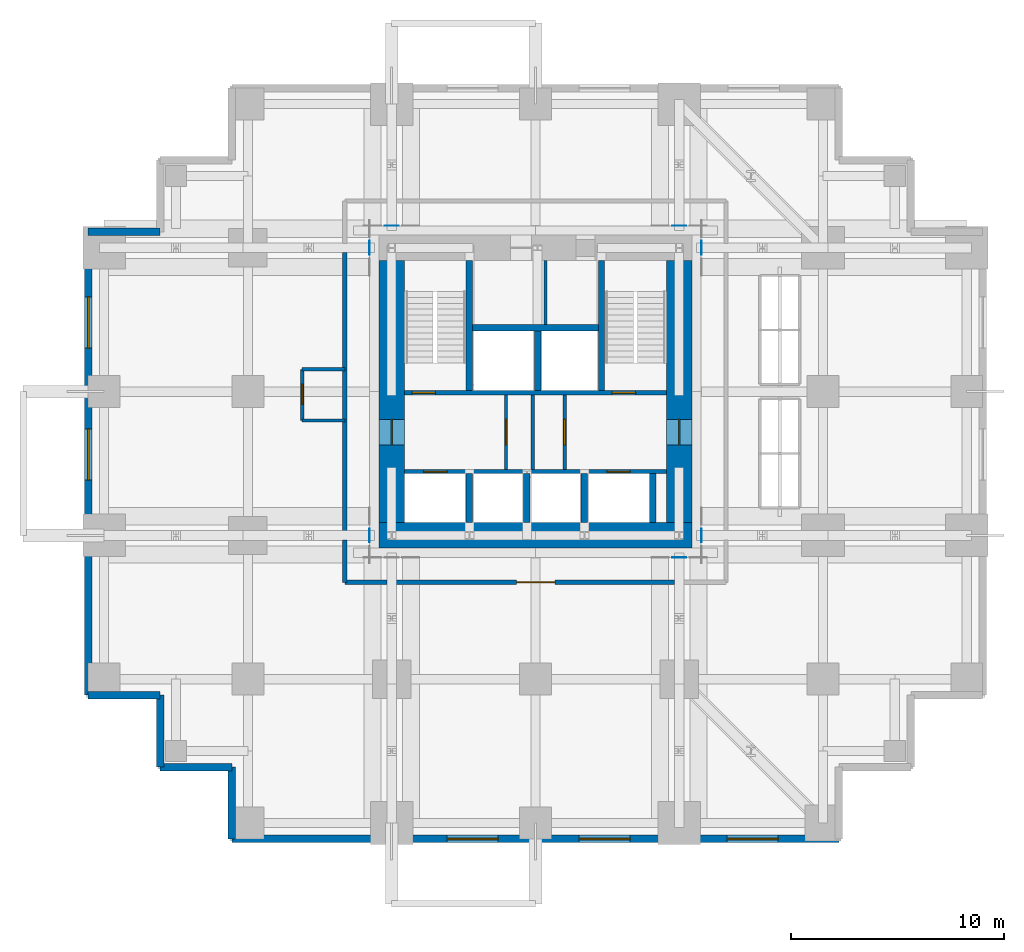
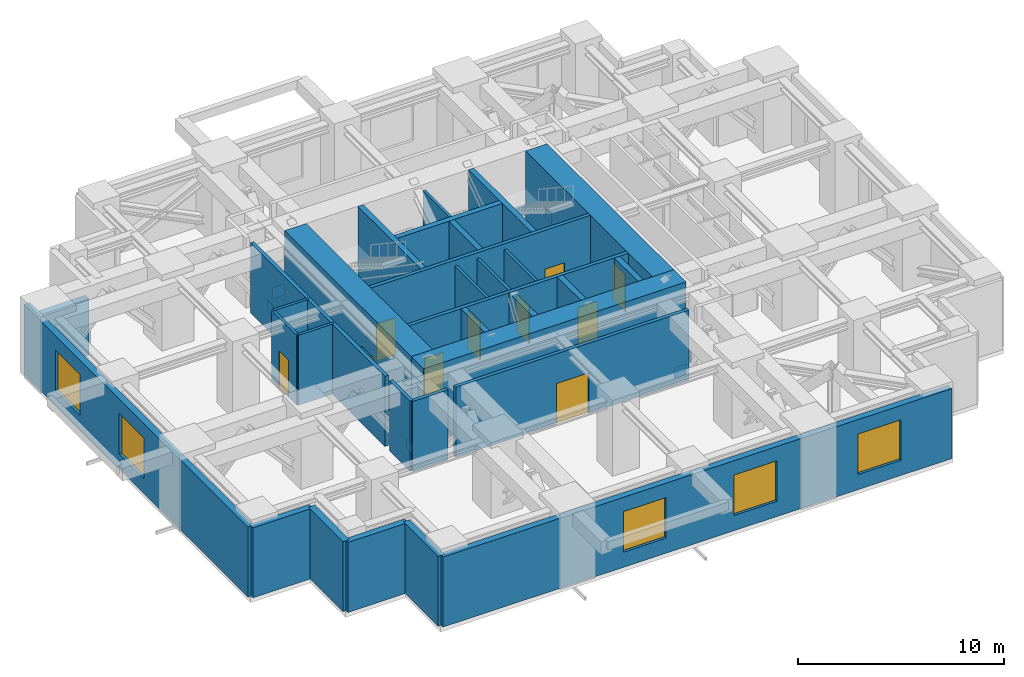
# One storey, part 4 of 6: 31 walls, 10 doors, 7 plates, 5 windows, 15 openings.
"""IFC4 building model written with IfcOpenShell, lengths in metres."""

from ifc_helpers import new_model, si_unit, direction, frame, frame_2d, origin, origin_2d, place, context, subcontext, project, spatial, rectangle, extrude, material, layer, layer_set, type_object, element, fill, save


model = new_model("IFC4")

# Units and contexts
model_context = context("Model", 3, precision=1e-05, world=origin(), true_north=direction((0.0, 1.0)))
body_context = subcontext(model_context, "Body", "Model", "MODEL_VIEW")
ifc_project = project(units=[si_unit("LENGTHUNIT", "METRE"), si_unit("AREAUNIT", "SQUARE_METRE"), si_unit("VOLUMEUNIT", "CUBIC_METRE"), si_unit("PLANEANGLEUNIT", "RADIAN"), si_unit("MASSUNIT", "GRAM", prefix="KILO")], contexts=[model_context])

# Site, building, storey
site_placement = place(None, origin())
site = spatial("IfcSite", under=ifc_project, at=site_placement, CompositionType="ELEMENT")
building_placement = place(site_placement, origin())
building = spatial("IfcBuilding", under=site, at=building_placement, Name="Nyansa Garden Tower", CompositionType="ELEMENT")
storey_placement = place(building_placement, frame((0.0, 0.0, 137.699951171875)))
storey = spatial("IfcBuildingStorey", under=building, at=storey_placement, Name="L37", CompositionType="ELEMENT", Elevation=137.699951171875)

# Plates
ifc_material_1 = material(Name="Steel S355", Category="steel")
ifc_layer_1 = layer(ifc_material_1, 0.01611328125)
ifc_layer_set_1 = layer_set([ifc_layer_1], Name="Outrigger chord end plate ECP1")
plate_type = type_object("IfcPlateType", Name="Outrigger chord end plate ECP1", PredefinedType="USERDEFINED", material=ifc_layer_set_1)
for number, where, z_axis, x_axis, name in (
    (1, (27.0, 12.4580078125, -0.625), (0.0, 0.0, 1.0), (1.0, 0.0, 0.0), "Outrigger diagonal L37 2.2b gusset end plate"),
    (2, (13.5, 28.0419921875, -0.625), (0.0, 0.0, 1.0), (1.0, 0.0, 0.0), "Outrigger diagonal L37 3.1a gusset end plate"),
    (3, (27.0, 28.0419921875, -0.625), (0.0, 0.0, 1.0), (1.0, 0.0, 0.0), "Outrigger diagonal L37 4.1a gusset end plate"),
):
    element("IfcPlate", number, at=place(storey_placement, frame(where, z_axis=z_axis, x_axis=x_axis)), inside=storey, type_object=plate_type, Name=name, ObjectType="END PLATE", PredefinedType="USERDEFINED", context=body_context, shape_type="SweptSolid", body=[
        extrude(rectangle(XDim=0.64990234375, YDim=0.01611328125, at=origin_2d()), origin(), (0.0, 0.0, 1.0), 0.64990234375),
    ])
for number, where, z_axis, x_axis, name in (
    (4, (12.4580078125, 13.5, -0.625), (0.0, 0.0, 1.0), (1.0, 0.0, 0.0), "Outrigger diagonal L37 5.2b gusset end plate"),
    (5, (12.4580078125, 27.0, -0.625), (0.0, 0.0, 1.0), (1.0, 0.0, 0.0), "Outrigger diagonal L37 6.2b gusset end plate"),
    (6, (28.0419921875, 13.5, -0.625), (0.0, 0.0, 1.0), (1.0, 0.0, 0.0), "Outrigger diagonal L37 7.1a gusset end plate"),
    (7, (28.0419921875, 27.0, -0.625), (0.0, 0.0, 1.0), (1.0, 0.0, 0.0), "Outrigger diagonal L37 8.1a gusset end plate"),
):
    element("IfcPlate", number, at=place(storey_placement, frame(where, z_axis=z_axis, x_axis=x_axis)), inside=storey, type_object=plate_type, Name=name, ObjectType="END PLATE", PredefinedType="USERDEFINED", context=body_context, shape_type="SweptSolid", body=[
        extrude(rectangle(XDim=0.01611328125, YDim=0.64990234375, at=origin_2d()), origin(), (0.0, 0.0, 1.0), 0.64990234375),
    ])

# Wall, openings, doors
ifc_material_2 = material(Name="Concrete C70/85", Category="concrete")
ifc_layer_2 = layer(ifc_material_2, 0.199951171875)
ifc_layer_set_2 = layer_set([ifc_layer_2], Name="Core inner wall CI200")
wall_type_1 = type_object("IfcWallType", Name="Core inner wall CI200", PredefinedType="SHEAR", material=ifc_layer_set_2)
wall_1_placement = place(storey_placement, frame((14.10009765625, 16.5, 0.0), z_axis=(0.0, 0.0, 1.0), x_axis=(1.0, 0.0, 0.0)))
wall_1 = element("IfcWall", 8, at=wall_1_placement, inside=storey, type_object=wall_type_1, Name="Core inner wall L37", PredefinedType="SHEAR", context=body_context, shape_type="SweptSolid", body=[
    extrude(rectangle(XDim=12.2998046875, YDim=0.199951171875, at=frame_2d((6.14990234375, 0.0))), origin(), (0.0, 0.0, 1.0), 4.5),
])
opening_1_placement = place(wall_1_placement, frame((0.89990234375, 0.0, 0.0)))
opening_1 = element("IfcOpeningElement", 9, at=opening_1_placement, cuts=wall_1, Name="Opening LD-F", PredefinedType="OPENING", context=body_context, shape_type="SweptSolid", body=[
    extrude(rectangle(XDim=1.10009765625, YDim=2.199951171875, at=frame_2d((0.550048828125, 1.10009765625))), frame((0.0, 0.10986328125, 0.0), z_axis=(0.0, -1.0, 0.0), x_axis=(1.0, 0.0, 0.0)), (0.0, 0.0, 1.0), 0.219970703125),
])
opening_2_placement = place(wall_1_placement, frame((9.5, 0.0, 0.0)))
opening_2 = element("IfcOpeningElement", 10, at=opening_2_placement, cuts=wall_1, Name="Opening LD-F", PredefinedType="OPENING", context=body_context, shape_type="SweptSolid", body=[
    extrude(rectangle(XDim=1.10009765625, YDim=2.199951171875, at=frame_2d((0.550048828125, 1.10009765625))), frame((0.0, 0.10986328125, 0.0), z_axis=(0.0, -1.0, 0.0), x_axis=(1.0, 0.0, 0.0)), (0.0, 0.0, 1.0), 0.219970703125),
])
ifc_material_3 = material(Name="Stainless steel centre-opening landing door of the firefighting lift, EN 81-72, E 120", Category="steel")
door_type_1 = type_object("IfcDoorType", Name="Lift landing door LD-F 1100x2200", OperationType="DOUBLE_DOOR_SLIDING", PredefinedType="DOOR", material=ifc_material_3)
door_1_placement = place(opening_1_placement, origin())
door_1 = element("IfcDoor", 11, at=door_1_placement, inside=storey, type_object=door_type_1, Name="Landing door FF1", OperationType="DOUBLE_DOOR_SLIDING", OverallHeight=2.199951171875, OverallWidth=1.10009765625, PredefinedType="DOOR", context=body_context, shape_type="SweptSolid", body=[
    extrude(rectangle(XDim=1.10009765625, YDim=2.199951171875, at=frame_2d((0.550048828125, 1.10009765625))), frame((0.0, 0.02490234375, 0.0), z_axis=(0.0, -1.0, 0.0), x_axis=(1.0, 0.0, 0.0)), (0.0, 0.0, 1.0), 0.050048828125),
])
fill(opening_1, door_1)
door_2_placement = place(opening_2_placement, origin())
door_2 = element("IfcDoor", 12, at=door_2_placement, inside=storey, type_object=door_type_1, Name="Landing door FF2", OperationType="DOUBLE_DOOR_SLIDING", OverallHeight=2.199951171875, OverallWidth=1.10009765625, PredefinedType="DOOR", context=body_context, shape_type="SweptSolid", body=[
    extrude(rectangle(XDim=1.10009765625, YDim=2.199951171875, at=frame_2d((0.550048828125, 1.10009765625))), frame((0.0, 0.02490234375, 0.0), z_axis=(0.0, -1.0, 0.0), x_axis=(1.0, 0.0, 0.0)), (0.0, 0.0, 1.0), 0.050048828125),
])
fill(opening_2, door_2)

wall_2_placement = place(storey_placement, frame((14.10009765625, 20.199951171875, 0.0), z_axis=(0.0, 0.0, 1.0), x_axis=(1.0, 0.0, 0.0)))
wall_2 = element("IfcWall", 13, at=wall_2_placement, inside=storey, type_object=wall_type_1, Name="Core inner wall L37", PredefinedType="SHEAR", context=body_context, shape_type="SweptSolid", body=[
    extrude(rectangle(XDim=12.2998046875, YDim=0.199951171875, at=frame_2d((6.14990234375, 0.0))), origin(), (0.0, 0.0, 1.0), 4.5),
])
opening_3_placement = place(wall_2_placement, frame((0.35009765625, 0.0, 0.0)))
opening_3 = element("IfcOpeningElement", 14, at=opening_3_placement, cuts=wall_2, Name="Opening D05", PredefinedType="OPENING", context=body_context, shape_type="SweptSolid", body=[
    extrude(rectangle(XDim=1.10009765625, YDim=2.199951171875, at=frame_2d((0.550048828125, 1.10009765625))), frame((0.0, 0.10986328125, 0.0), z_axis=(0.0, -1.0, 0.0), x_axis=(1.0, 0.0, 0.0)), (0.0, 0.0, 1.0), 0.219970703125),
])
opening_4_placement = place(wall_2_placement, frame((9.75, 0.0, 0.0)))
opening_4 = element("IfcOpeningElement", 15, at=opening_4_placement, cuts=wall_2, Name="Opening D05", PredefinedType="OPENING", context=body_context, shape_type="SweptSolid", body=[
    extrude(rectangle(XDim=1.10009765625, YDim=2.199951171875, at=frame_2d((0.550048828125, 1.10009765625))), frame((0.0, 0.10986328125, 0.0), z_axis=(0.0, -1.0, 0.0), x_axis=(1.0, 0.0, 0.0)), (0.0, 0.0, 1.0), 0.219970703125),
])
ifc_material_4 = material(Name="Steel door, 120 minute fire resisting", Category="steel")
door_type_2 = type_object("IfcDoorType", Name="Stair door D05 1100x2200", OperationType="SINGLE_SWING_LEFT", PredefinedType="DOOR", material=ifc_material_4)
door_3_placement = place(opening_3_placement, origin())
door_3 = element("IfcDoor", 16, at=door_3_placement, inside=storey, type_object=door_type_2, Name="Stair S1 door", OperationType="SINGLE_SWING_LEFT", OverallHeight=2.199951171875, OverallWidth=1.10009765625, PredefinedType="DOOR", context=body_context, shape_type="SweptSolid", body=[
    extrude(rectangle(XDim=1.10009765625, YDim=2.199951171875, at=frame_2d((0.550048828125, 1.10009765625))), frame((0.0, 0.02490234375, 0.0), z_axis=(0.0, -1.0, 0.0), x_axis=(1.0, 0.0, 0.0)), (0.0, 0.0, 1.0), 0.050048828125),
])
fill(opening_3, door_3)
door_4_placement = place(opening_4_placement, origin())
door_4 = element("IfcDoor", 17, at=door_4_placement, inside=storey, type_object=door_type_2, Name="Stair S2 door", OperationType="SINGLE_SWING_LEFT", OverallHeight=2.199951171875, OverallWidth=1.10009765625, PredefinedType="DOOR", context=body_context, shape_type="SweptSolid", body=[
    extrude(rectangle(XDim=1.10009765625, YDim=2.199951171875, at=frame_2d((0.550048828125, 1.10009765625))), frame((0.0, 0.02490234375, 0.0), z_axis=(0.0, -1.0, 0.0), x_axis=(1.0, 0.0, 0.0)), (0.0, 0.0, 1.0), 0.050048828125),
])
fill(opening_4, door_4)

# Walls
ifc_material_5 = material(Name="Concrete C70/85", Category="concrete")
ifc_layer_3 = layer(ifc_material_5, 0.300048828125)
ifc_layer_set_3 = layer_set([ifc_layer_3], Name="Core inner wall CI300")
wall_type_2 = type_object("IfcWallType", Name="Core inner wall CI300", PredefinedType="SHEAR", material=ifc_layer_set_3)
for number, where, z_axis, x_axis, name in (
    (18, (17.14990234375, 20.300048828125, 0.0), (0.0, 0.0, 1.0), (0.0, 1.0, 0.0), "Core inner wall L37"),
    (19, (23.35009765625, 20.300048828125, 0.0), (0.0, 0.0, 1.0), (0.0, 1.0, 0.0), "Core inner wall L37"),
):
    element("IfcWall", number, at=place(storey_placement, frame(where, z_axis=z_axis, x_axis=x_axis)), inside=storey, type_object=wall_type_2, Name=name, PredefinedType="SHEAR", context=body_context, shape_type="SweptSolid", body=[
        extrude(rectangle(XDim=6.099853515625, YDim=0.300048828125, at=frame_2d((3.0498046875, 0.0))), origin(), (0.0, 0.0, 1.0), 4.5),
    ])
wall_3_placement = place(storey_placement, frame((20.35009765625, 20.300048828125, 0.0), z_axis=(0.0, 0.0, 1.0), x_axis=(0.0, 1.0, 0.0)))
element("IfcWall", 20, at=wall_3_placement, inside=storey, type_object=wall_type_2, Name="Core inner wall L37", PredefinedType="SHEAR", context=body_context, shape_type="SweptSolid", body=[
    extrude(rectangle(XDim=2.800048828125, YDim=0.300048828125, at=frame_2d((1.39990234375, 0.0))), origin(), (0.0, 0.0, 1.0), 4.5),
])
wall_4_placement = place(storey_placement, frame((17.300048828125, 23.25, 0.0), z_axis=(0.0, 0.0, 1.0), x_axis=(1.0, 0.0, 0.0)))
element("IfcWall", 21, at=wall_4_placement, inside=storey, type_object=wall_type_2, Name="Core inner wall L37", PredefinedType="SHEAR", context=body_context, shape_type="SweptSolid", body=[
    extrude(rectangle(XDim=5.89990234375, YDim=0.300048828125, at=frame_2d((2.949951171875, 0.0))), origin(), (0.0, 0.0, 1.0), 4.5),
])
for number, where, z_axis, x_axis, name in (
    (22, (17.14990234375, 14.10009765625, 0.0), (0.0, 0.0, 1.0), (0.0, 1.0, 0.0), "Core inner wall L37"),
    (23, (19.85009765625, 14.10009765625, 0.0), (0.0, 0.0, 1.0), (0.0, 1.0, 0.0), "Core inner wall L37"),
    (24, (22.550048828125, 14.10009765625, 0.0), (0.0, 0.0, 1.0), (0.0, 1.0, 0.0), "Core inner wall L37"),
    (25, (25.75, 14.10009765625, 0.0), (0.0, 0.0, 1.0), (0.0, 1.0, 0.0), "Core inner wall L37"),
):
    element("IfcWall", number, at=place(storey_placement, frame(where, z_axis=z_axis, x_axis=x_axis)), inside=storey, type_object=wall_type_2, Name=name, PredefinedType="SHEAR", context=body_context, shape_type="SweptSolid", body=[
        extrude(rectangle(XDim=2.2998046875, YDim=0.300048828125, at=frame_2d((1.14990234375, 0.0))), origin(), (0.0, 0.0, 1.0), 4.5),
    ])
ifc_material_6 = material(Name="Concrete C80/95", Category="concrete")
ifc_layer_4 = layer(ifc_material_6, 1.199951171875)
ifc_layer_set_4 = layer_set([ifc_layer_4], Name="Core wall CW1200")
wall_type_3 = type_object("IfcWallType", Name="Core wall CW1200", PredefinedType="SHEAR", material=ifc_layer_set_4)
wall_5_placement = place(storey_placement, frame((12.89990234375, 13.5, 0.0), z_axis=(0.0, 0.0, 1.0), x_axis=(1.0, 0.0, 0.0)))
element("IfcWall", 26, at=wall_5_placement, inside=storey, type_object=wall_type_3, Name="Core wall S L37", PredefinedType="SHEAR", context=body_context, shape_type="SweptSolid", body=[
    extrude(rectangle(XDim=14.7001953125, YDim=1.199951171875, at=frame_2d((7.35009765625, 0.0))), origin(), (0.0, 0.0, 1.0), 4.5),
])

# Wall, opening, door
wall_6_placement = place(storey_placement, frame((27.0, 14.10009765625, 0.0), z_axis=(0.0, 0.0, 1.0), x_axis=(0.0, 1.0, 0.0)))
wall_6 = element("IfcWall", 27, at=wall_6_placement, inside=storey, type_object=wall_type_3, Name="Core wall E L37", PredefinedType="SHEAR", context=body_context, shape_type="SweptSolid", body=[
    extrude(rectangle(XDim=12.2998046875, YDim=1.199951171875, at=frame_2d((6.14990234375, 0.0))), origin(), (0.0, 0.0, 1.0), 4.5),
])
opening_5_placement = place(wall_6_placement, frame((3.64990234375, 0.0, 0.0)))
opening_5 = element("IfcOpeningElement", 28, at=opening_5_placement, cuts=wall_6, Name="Opening D06", PredefinedType="OPENING", context=body_context, shape_type="SweptSolid", body=[
    extrude(rectangle(XDim=1.199951171875, YDim=2.199951171875, at=frame_2d((0.60009765625, 1.10009765625))), frame((0.0, 0.60986328125, 0.0), z_axis=(0.0, -1.0, 0.0), x_axis=(1.0, 0.0, 0.0)), (0.0, 0.0, 1.0), 1.219970703125),
])
ifc_material_7 = material(Name="Steel door, 120 minute fire resisting", Category="steel")
door_type_3 = type_object("IfcDoorType", Name="Lobby door D06 1200x2200", OperationType="DOUBLE_DOOR_SINGLE_SWING", PredefinedType="DOOR", material=ifc_material_7)
door_5_placement = place(opening_5_placement, origin())
door_5 = element("IfcDoor", 29, at=door_5_placement, inside=storey, type_object=door_type_3, Name="Lift lobby door east", OperationType="DOUBLE_DOOR_SINGLE_SWING", OverallHeight=2.199951171875, OverallWidth=1.199951171875, PredefinedType="DOOR", context=body_context, shape_type="SweptSolid", body=[
    extrude(rectangle(XDim=1.199951171875, YDim=2.199951171875, at=frame_2d((0.60009765625, 1.10009765625))), frame((0.0, 0.02490234375, 0.0), z_axis=(0.0, -1.0, 0.0), x_axis=(1.0, 0.0, 0.0)), (0.0, 0.0, 1.0), 0.050048828125),
])
fill(opening_5, door_5)

wall_7_placement = place(storey_placement, frame((13.5, 26.39990234375, 0.0), z_axis=(0.0, 0.0, 1.0), x_axis=(0.0, -1.0, 0.0)))
wall_7 = element("IfcWall", 30, at=wall_7_placement, inside=storey, type_object=wall_type_3, Name="Core wall W L37", PredefinedType="SHEAR", context=body_context, shape_type="SweptSolid", body=[
    extrude(rectangle(XDim=12.2998046875, YDim=1.199951171875, at=frame_2d((6.14990234375, 0.0))), origin(), (0.0, 0.0, 1.0), 4.5),
])
opening_6_placement = place(wall_7_placement, frame((7.449951171875, 0.0, 0.0)))
opening_6 = element("IfcOpeningElement", 31, at=opening_6_placement, cuts=wall_7, Name="Opening D06", PredefinedType="OPENING", context=body_context, shape_type="SweptSolid", body=[
    extrude(rectangle(XDim=1.199951171875, YDim=2.199951171875, at=frame_2d((0.60009765625, 1.10009765625))), frame((0.0, 0.60986328125, 0.0), z_axis=(0.0, -1.0, 0.0), x_axis=(1.0, 0.0, 0.0)), (0.0, 0.0, 1.0), 1.219970703125),
])
door_6_placement = place(opening_6_placement, origin())
door_6 = element("IfcDoor", 32, at=door_6_placement, inside=storey, type_object=door_type_3, Name="Lift lobby door west", OperationType="DOUBLE_DOOR_SINGLE_SWING", OverallHeight=2.199951171875, OverallWidth=1.199951171875, PredefinedType="DOOR", context=body_context, shape_type="SweptSolid", body=[
    extrude(rectangle(XDim=1.199951171875, YDim=2.199951171875, at=frame_2d((0.60009765625, 1.10009765625))), frame((0.0, 0.02490234375, 0.0), z_axis=(0.0, -1.0, 0.0), x_axis=(1.0, 0.0, 0.0)), (0.0, 0.0, 1.0), 0.050048828125),
])
fill(opening_6, door_6)

# Walls
ifc_material_8 = material(Name="Concrete blockwork, plastered, 60 minute fire resisting", Category="masonry")
ifc_layer_5 = layer(ifc_material_8, 0.199951171875)
ifc_layer_set_5 = layer_set([ifc_layer_5], Name="Corridor wall FW200")
wall_type_4 = type_object("IfcWallType", Name="Corridor wall FW200", PredefinedType="PARTITIONING", material=ifc_layer_set_5)
for number, where, z_axis, x_axis, name in (
    (33, (11.300048828125, 11.300048828125, 0.0), (0.0, 0.0, 1.0), (0.0, 1.0, 0.0), "Corridor wall"),
    (34, (11.300048828125, 11.300048828125, 0.0), (0.0, 0.0, 1.0), (1.0, 0.0, 0.0), "Corridor wall"),
):
    element("IfcWall", number, at=place(storey_placement, frame(where, z_axis=z_axis, x_axis=x_axis)), inside=storey, type_object=wall_type_4, Name=name, PredefinedType="PARTITIONING", context=body_context, shape_type="SweptSolid", body=[
        extrude(rectangle(XDim=1.98486328125, YDim=0.199951171875, at=frame_2d((0.992431640625, 0.0))), origin(), (0.0, 0.0, 1.0), 4.150146484375),
    ])
wall_8_placement = place(storey_placement, frame((11.300048828125, 13.715087890625, 0.0), z_axis=(0.0, 0.0, 1.0), x_axis=(0.0, 1.0, 0.0)))
element("IfcWall", 35, at=wall_8_placement, inside=storey, type_object=wall_type_4, Name="Corridor wall", PredefinedType="PARTITIONING", context=body_context, shape_type="SweptSolid", body=[
    extrude(rectangle(XDim=13.06982421875, YDim=0.199951171875, at=frame_2d((6.534912109375, 0.0))), origin(), (0.0, 0.0, 1.0), 4.150146484375),
])

# Wall, opening, door
wall_9_placement = place(storey_placement, frame((13.715087890625, 11.300048828125, 0.0), z_axis=(0.0, 0.0, 1.0), x_axis=(1.0, 0.0, 0.0)))
wall_9 = element("IfcWall", 36, at=wall_9_placement, inside=storey, type_object=wall_type_4, Name="Corridor wall", PredefinedType="PARTITIONING", context=body_context, shape_type="SweptSolid", body=[
    extrude(rectangle(XDim=13.06982421875, YDim=0.199951171875, at=frame_2d((6.534912109375, 0.0))), origin(), (0.0, 0.0, 1.0), 4.150146484375),
])
opening_7_placement = place(wall_9_placement, frame((5.64990234375, 0.0, 0.0)))
opening_7 = element("IfcOpeningElement", 37, at=opening_7_placement, cuts=wall_9, Name="Opening D09", PredefinedType="OPENING", context=body_context, shape_type="SweptSolid", body=[
    extrude(rectangle(XDim=1.800048828125, YDim=2.39990234375, at=frame_2d((0.89990234375, 1.199951171875))), frame((0.0, 0.10986328125, 0.0), z_axis=(0.0, -1.0, 0.0), x_axis=(1.0, 0.0, 0.0)), (0.0, 0.0, 1.0), 0.219970703125),
])
ifc_material_9 = material(Name="Steel door, 120 minute fire resisting", Category="steel")
door_type_4 = type_object("IfcDoorType", Name="Plant room door D09 1800x2400", OperationType="DOUBLE_DOOR_SINGLE_SWING", PredefinedType="DOOR", material=ifc_material_9)
door_7_placement = place(opening_7_placement, origin())
door_7 = element("IfcDoor", 38, at=door_7_placement, inside=storey, type_object=door_type_4, Name="Door L37-018", OperationType="DOUBLE_DOOR_SINGLE_SWING", OverallHeight=2.39990234375, OverallWidth=1.800048828125, PredefinedType="DOOR", context=body_context, shape_type="SweptSolid", body=[
    extrude(rectangle(XDim=1.800048828125, YDim=2.39990234375, at=frame_2d((0.89990234375, 1.199951171875))), frame((0.0, 0.02490234375, 0.0), z_axis=(0.0, -1.0, 0.0), x_axis=(1.0, 0.0, 0.0)), (0.0, 0.0, 1.0), 0.050048828125),
])
fill(opening_7, door_7)

ifc_material_10 = material(Name="Blockwork, plastered both sides", Category="masonry")
ifc_layer_6 = layer(ifc_material_10, 0.14990234375)
ifc_layer_set_6 = layer_set([ifc_layer_6], Name="Partition PW150")
wall_type_5 = type_object("IfcWallType", Name="Partition PW150", PredefinedType="PARTITIONING", material=ifc_layer_set_6)
wall_10_placement = place(storey_placement, frame((18.875, 16.60009765625, 0.0), z_axis=(0.0, 0.0, 1.0), x_axis=(0.0, 1.0, 0.0)))
wall_10 = element("IfcWall", 39, at=wall_10_placement, inside=storey, type_object=wall_type_5, Name="Partition", PredefinedType="PARTITIONING", context=body_context, shape_type="SweptSolid", body=[
    extrude(rectangle(XDim=3.5, YDim=0.14990234375, at=frame_2d((1.75, 0.0))), origin(), (0.0, 0.0, 1.0), 4.150146484375),
])
opening_8_placement = place(wall_10_placement, frame((1.14990234375, 0.0, 0.0)))
opening_8 = element("IfcOpeningElement", 40, at=opening_8_placement, cuts=wall_10, Name="Opening D06", PredefinedType="OPENING", context=body_context, shape_type="SweptSolid", body=[
    extrude(rectangle(XDim=1.199951171875, YDim=2.199951171875, at=frame_2d((0.60009765625, 1.10009765625))), frame((0.0, 0.0849609375, 0.0), z_axis=(0.0, -1.0, 0.0), x_axis=(1.0, 0.0, 0.0)), (0.0, 0.0, 1.0), 0.169921875),
])
door_8_placement = place(opening_8_placement, origin())
door_8 = element("IfcDoor", 41, at=door_8_placement, inside=storey, type_object=door_type_3, Name="Passenger lift lobby door", OperationType="DOUBLE_DOOR_SINGLE_SWING", OverallHeight=2.199951171875, OverallWidth=1.199951171875, PredefinedType="DOOR", context=body_context, shape_type="SweptSolid", body=[
    extrude(rectangle(XDim=1.199951171875, YDim=2.199951171875, at=frame_2d((0.60009765625, 1.10009765625))), frame((0.0, 0.02490234375, 0.0), z_axis=(0.0, -1.0, 0.0), x_axis=(1.0, 0.0, 0.0)), (0.0, 0.0, 1.0), 0.050048828125),
])
fill(opening_8, door_8)

wall_11_placement = place(storey_placement, frame((21.625, 16.60009765625, 0.0), z_axis=(0.0, 0.0, 1.0), x_axis=(0.0, 1.0, 0.0)))
wall_11 = element("IfcWall", 42, at=wall_11_placement, inside=storey, type_object=wall_type_5, Name="Partition", PredefinedType="PARTITIONING", context=body_context, shape_type="SweptSolid", body=[
    extrude(rectangle(XDim=3.5, YDim=0.14990234375, at=frame_2d((1.75, 0.0))), origin(), (0.0, 0.0, 1.0), 4.150146484375),
])
opening_9_placement = place(wall_11_placement, frame((1.14990234375, 0.0, 0.0)))
opening_9 = element("IfcOpeningElement", 43, at=opening_9_placement, cuts=wall_11, Name="Opening D06", PredefinedType="OPENING", context=body_context, shape_type="SweptSolid", body=[
    extrude(rectangle(XDim=1.199951171875, YDim=2.199951171875, at=frame_2d((0.60009765625, 1.10009765625))), frame((0.0, 0.0849609375, 0.0), z_axis=(0.0, -1.0, 0.0), x_axis=(1.0, 0.0, 0.0)), (0.0, 0.0, 1.0), 0.169921875),
])
door_9_placement = place(opening_9_placement, origin())
door_9 = element("IfcDoor", 44, at=door_9_placement, inside=storey, type_object=door_type_3, Name="Passenger lift lobby door", OperationType="DOUBLE_DOOR_SINGLE_SWING", OverallHeight=2.199951171875, OverallWidth=1.199951171875, PredefinedType="DOOR", context=body_context, shape_type="SweptSolid", body=[
    extrude(rectangle(XDim=1.199951171875, YDim=2.199951171875, at=frame_2d((0.60009765625, 1.10009765625))), frame((0.0, 0.02490234375, 0.0), z_axis=(0.0, -1.0, 0.0), x_axis=(1.0, 0.0, 0.0)), (0.0, 0.0, 1.0), 0.050048828125),
])
fill(opening_9, door_9)

# Walls
wall_12_placement = place(storey_placement, frame((20.1201171875, 16.60009765625, 0.0), z_axis=(0.0, 0.0, 1.0), x_axis=(0.0, 1.0, 0.0)))
element("IfcWall", 45, at=wall_12_placement, inside=storey, type_object=wall_type_5, Name="Partition", PredefinedType="PARTITIONING", context=body_context, shape_type="SweptSolid", body=[
    extrude(rectangle(XDim=3.5, YDim=0.14990234375, at=frame_2d((1.75, 0.0))), origin(), (0.0, 0.0, 1.0), 4.150146484375),
])
wall_13_placement = place(storey_placement, frame((20.72509765625, 23.39990234375, 0.0), z_axis=(0.0, 0.0, 1.0), x_axis=(0.0, 1.0, 0.0)))
element("IfcWall", 46, at=wall_13_placement, inside=storey, type_object=wall_type_5, Name="Partition", PredefinedType="PARTITIONING", context=body_context, shape_type="SweptSolid", body=[
    extrude(rectangle(XDim=3.0, YDim=0.14990234375, at=frame_2d((1.5, 0.0))), origin(), (0.0, 0.0, 1.0), 4.150146484375),
])

# Wall, opening, door
wall_14_placement = place(storey_placement, frame((9.300048828125, 18.89990234375, 0.0), z_axis=(0.0, 0.0, 1.0), x_axis=(0.0, 1.0, 0.0)))
wall_14 = element("IfcWall", 47, at=wall_14_placement, inside=storey, type_object=wall_type_5, Name="Partition", PredefinedType="PARTITIONING", context=body_context, shape_type="SweptSolid", body=[
    extrude(rectangle(XDim=2.400146484375, YDim=0.14990234375, at=frame_2d((1.2001953125, 0.0))), origin(), (0.0, 0.0, 1.0), 4.150146484375),
])
opening_10_placement = place(wall_14_placement, frame((0.75, 0.0, 0.0)))
opening_10 = element("IfcOpeningElement", 48, at=opening_10_placement, cuts=wall_14, Name="Opening D01", PredefinedType="OPENING", context=body_context, shape_type="SweptSolid", body=[
    extrude(rectangle(XDim=0.949951171875, YDim=2.199951171875, at=frame_2d((0.47509765625, 1.10009765625))), frame((0.0, 0.0849609375, 0.0), z_axis=(0.0, -1.0, 0.0), x_axis=(1.0, 0.0, 0.0)), (0.0, 0.0, 1.0), 0.169921875),
])
ifc_material_11 = material(Name="Timber flush door, 30 minute fire resisting", Category="wood")
door_type_5 = type_object("IfcDoorType", Name="Bedroom door D01 950x2200", OperationType="SINGLE_SWING_LEFT", PredefinedType="DOOR", material=ifc_material_11)
door_10_placement = place(opening_10_placement, origin())
door_10 = element("IfcDoor", 49, at=door_10_placement, inside=storey, type_object=door_type_5, Name="Door L37-017", OperationType="SINGLE_SWING_LEFT", OverallHeight=2.199951171875, OverallWidth=0.949951171875, PredefinedType="DOOR", context=body_context, shape_type="SweptSolid", body=[
    extrude(rectangle(XDim=0.949951171875, YDim=2.199951171875, at=frame_2d((0.47509765625, 1.10009765625))), frame((0.0, 0.02490234375, 0.0), z_axis=(0.0, -1.0, 0.0), x_axis=(1.0, 0.0, 0.0)), (0.0, 0.0, 1.0), 0.050048828125),
])
fill(opening_10, door_10)

# Walls
for number, where, z_axis, x_axis, name in (
    (50, (9.300048828125, 18.89990234375, 0.0), (0.0, 0.0, 1.0), (1.0, 0.0, 0.0), "Partition"),
    (51, (9.300048828125, 21.300048828125, 0.0), (0.0, 0.0, 1.0), (1.0, 0.0, 0.0), "Partition"),
):
    element("IfcWall", number, at=place(storey_placement, frame(where, z_axis=z_axis, x_axis=x_axis)), inside=storey, type_object=wall_type_5, Name=name, PredefinedType="PARTITIONING", context=body_context, shape_type="SweptSolid", body=[
        extrude(rectangle(XDim=2.0, YDim=0.14990234375, at=frame_2d((1.0, 0.0))), origin(), (0.0, 0.0, 1.0), 4.150146484375),
    ])
ifc_material_12 = material(Name="Turquoise and ultramarine glazed tile on concrete blockwork", Category="masonry")
ifc_layer_7 = layer(ifc_material_12, 0.35009765625)
ifc_layer_set_7 = layer_set([ifc_layer_7], Name="Tiled plant wall PW350")
wall_type_6 = type_object("IfcWallType", Name="Tiled plant wall PW350", PredefinedType="SOLIDWALL", material=ifc_layer_set_7)
wall_15_placement = place(storey_placement, frame((2.625, 27.75, 0.0), z_axis=(0.0, 0.0, 1.0), x_axis=(-1.0, 0.0, 0.0)))
element("IfcWall", 52, at=wall_15_placement, inside=storey, type_object=wall_type_6, Name="Tiled plant wall L37", PredefinedType="SOLIDWALL", context=body_context, shape_type="SweptSolid", body=[
    extrude(rectangle(XDim=3.375, YDim=0.35009765625, at=frame_2d((1.6875, 0.0))), origin(), (0.0, 0.0, 1.0), 3.35009765625),
])

# Wall, openings, windows
wall_16_placement = place(storey_placement, frame((-0.75, 27.75, 0.0), z_axis=(0.0, 0.0, 1.0), x_axis=(0.0, -1.0, 0.0)))
wall_16 = element("IfcWall", 53, at=wall_16_placement, inside=storey, type_object=wall_type_6, Name="Tiled plant wall L37", PredefinedType="SOLIDWALL", context=body_context, shape_type="SweptSolid", body=[
    extrude(rectangle(XDim=21.75, YDim=0.35009765625, at=frame_2d((10.875, 0.0))), origin(), (0.0, 0.0, 1.0), 4.150146484375),
])
opening_11_placement = place(wall_16_placement, frame((3.050048828125, 0.0, 0.89990234375)))
opening_11 = element("IfcOpeningElement", 54, at=opening_11_placement, cuts=wall_16, Name="Opening W3", PredefinedType="OPENING", context=body_context, shape_type="SweptSolid", body=[
    extrude(rectangle(XDim=2.39990234375, YDim=2.39990234375, at=frame_2d((1.199951171875, 1.199951171875))), frame((0.0, 0.18505859375, 0.0), z_axis=(0.0, -1.0, 0.0), x_axis=(1.0, 0.0, 0.0)), (0.0, 0.0, 1.0), 0.3701171875),
])
opening_12_placement = place(wall_16_placement, frame((9.25, 0.0, 0.89990234375)))
opening_12 = element("IfcOpeningElement", 55, at=opening_12_placement, cuts=wall_16, Name="Opening W3", PredefinedType="OPENING", context=body_context, shape_type="SweptSolid", body=[
    extrude(rectangle(XDim=2.39990234375, YDim=2.39990234375, at=frame_2d((1.199951171875, 1.199951171875))), frame((0.0, 0.18505859375, 0.0), z_axis=(0.0, -1.0, 0.0), x_axis=(1.0, 0.0, 0.0)), (0.0, 0.0, 1.0), 0.3701171875),
])
ifc_material_13 = material(Name="Black aluminium weather louvre", Category="aluminium")
window_type = type_object("IfcWindowType", Name="Louvre W3 2400x2400", PartitioningType="SINGLE_PANEL", PredefinedType="WINDOW", material=ifc_material_13)
window_1_placement = place(opening_11_placement, origin())
window_1 = element("IfcWindow", 56, at=window_1_placement, inside=storey, type_object=window_type, Name="Louvre L37", OverallHeight=2.39990234375, OverallWidth=2.39990234375, PartitioningType="SINGLE_PANEL", PredefinedType="WINDOW", context=body_context, shape_type="SweptSolid", body=[
    extrude(rectangle(XDim=2.39990234375, YDim=2.39990234375, at=frame_2d((1.199951171875, 1.199951171875))), frame((0.0, 0.030029296875, 0.0), z_axis=(0.0, -1.0, 0.0), x_axis=(1.0, 0.0, 0.0)), (0.0, 0.0, 1.0), 0.06005859375),
])
fill(opening_11, window_1)
window_2_placement = place(opening_12_placement, origin())
window_2 = element("IfcWindow", 57, at=window_2_placement, inside=storey, type_object=window_type, Name="Louvre L37", OverallHeight=2.39990234375, OverallWidth=2.39990234375, PartitioningType="SINGLE_PANEL", PredefinedType="WINDOW", context=body_context, shape_type="SweptSolid", body=[
    extrude(rectangle(XDim=2.39990234375, YDim=2.39990234375, at=frame_2d((1.199951171875, 1.199951171875))), frame((0.0, 0.030029296875, 0.0), z_axis=(0.0, -1.0, 0.0), x_axis=(1.0, 0.0, 0.0)), (0.0, 0.0, 1.0), 0.06005859375),
])
fill(opening_12, window_2)

# Walls
for number, where, z_axis, x_axis, name in (
    (58, (-0.75, 6.0, 0.0), (0.0, 0.0, 1.0), (1.0, 0.0, 0.0), "Tiled plant wall L37"),
    (59, (2.625, 6.0, 0.0), (0.0, 0.0, 1.0), (0.0, -1.0, 0.0), "Tiled plant wall L37"),
    (60, (2.625, 2.625, 0.0), (0.0, 0.0, 1.0), (1.0, 0.0, 0.0), "Tiled plant wall L37"),
    (61, (6.0, 2.625, 0.0), (0.0, 0.0, 1.0), (0.0, -1.0, 0.0), "Tiled plant wall L37"),
):
    element("IfcWall", number, at=place(storey_placement, frame(where, z_axis=z_axis, x_axis=x_axis)), inside=storey, type_object=wall_type_6, Name=name, PredefinedType="SOLIDWALL", context=body_context, shape_type="SweptSolid", body=[
        extrude(rectangle(XDim=3.375, YDim=0.35009765625, at=frame_2d((1.6875, 0.0))), origin(), (0.0, 0.0, 1.0), 4.150146484375),
    ])

# Wall, openings, windows
wall_17_placement = place(storey_placement, frame((6.0, -0.75, 0.0), z_axis=(0.0, 0.0, 1.0), x_axis=(1.0, 0.0, 0.0)))
wall_17 = element("IfcWall", 62, at=wall_17_placement, inside=storey, type_object=wall_type_6, Name="Tiled plant wall L37", PredefinedType="SOLIDWALL", context=body_context, shape_type="SweptSolid", body=[
    extrude(rectangle(XDim=28.5, YDim=0.35009765625, at=frame_2d((14.25, 0.0))), origin(), (0.0, 0.0, 1.0), 4.150146484375),
])
opening_13_placement = place(wall_17_placement, frame((10.10009765625, 0.0, 0.89990234375)))
opening_13 = element("IfcOpeningElement", 63, at=opening_13_placement, cuts=wall_17, Name="Opening W3", PredefinedType="OPENING", context=body_context, shape_type="SweptSolid", body=[
    extrude(rectangle(XDim=2.39990234375, YDim=2.39990234375, at=frame_2d((1.199951171875, 1.199951171875))), frame((0.0, 0.18505859375, 0.0), z_axis=(0.0, -1.0, 0.0), x_axis=(1.0, 0.0, 0.0)), (0.0, 0.0, 1.0), 0.3701171875),
])
opening_14_placement = place(wall_17_placement, frame((16.300048828125, 0.0, 0.89990234375)))
opening_14 = element("IfcOpeningElement", 64, at=opening_14_placement, cuts=wall_17, Name="Opening W3", PredefinedType="OPENING", context=body_context, shape_type="SweptSolid", body=[
    extrude(rectangle(XDim=2.39990234375, YDim=2.39990234375, at=frame_2d((1.199951171875, 1.199951171875))), frame((0.0, 0.18505859375, 0.0), z_axis=(0.0, -1.0, 0.0), x_axis=(1.0, 0.0, 0.0)), (0.0, 0.0, 1.0), 0.3701171875),
])
opening_15_placement = place(wall_17_placement, frame((23.25, 0.0, 0.89990234375)))
opening_15 = element("IfcOpeningElement", 65, at=opening_15_placement, cuts=wall_17, Name="Opening W3", PredefinedType="OPENING", context=body_context, shape_type="SweptSolid", body=[
    extrude(rectangle(XDim=2.39990234375, YDim=2.39990234375, at=frame_2d((1.199951171875, 1.199951171875))), frame((0.0, 0.18505859375, 0.0), z_axis=(0.0, -1.0, 0.0), x_axis=(1.0, 0.0, 0.0)), (0.0, 0.0, 1.0), 0.3701171875),
])
window_3_placement = place(opening_13_placement, origin())
window_3 = element("IfcWindow", 66, at=window_3_placement, inside=storey, type_object=window_type, Name="Louvre L37", OverallHeight=2.39990234375, OverallWidth=2.39990234375, PartitioningType="SINGLE_PANEL", PredefinedType="WINDOW", context=body_context, shape_type="SweptSolid", body=[
    extrude(rectangle(XDim=2.39990234375, YDim=2.39990234375, at=frame_2d((1.199951171875, 1.199951171875))), frame((0.0, 0.030029296875, 0.0), z_axis=(0.0, -1.0, 0.0), x_axis=(1.0, 0.0, 0.0)), (0.0, 0.0, 1.0), 0.06005859375),
])
fill(opening_13, window_3)
window_4_placement = place(opening_14_placement, origin())
window_4 = element("IfcWindow", 67, at=window_4_placement, inside=storey, type_object=window_type, Name="Louvre L37", OverallHeight=2.39990234375, OverallWidth=2.39990234375, PartitioningType="SINGLE_PANEL", PredefinedType="WINDOW", context=body_context, shape_type="SweptSolid", body=[
    extrude(rectangle(XDim=2.39990234375, YDim=2.39990234375, at=frame_2d((1.199951171875, 1.199951171875))), frame((0.0, 0.030029296875, 0.0), z_axis=(0.0, -1.0, 0.0), x_axis=(1.0, 0.0, 0.0)), (0.0, 0.0, 1.0), 0.06005859375),
])
fill(opening_14, window_4)
window_5_placement = place(opening_15_placement, origin())
window_5 = element("IfcWindow", 68, at=window_5_placement, inside=storey, type_object=window_type, Name="Louvre L37", OverallHeight=2.39990234375, OverallWidth=2.39990234375, PartitioningType="SINGLE_PANEL", PredefinedType="WINDOW", context=body_context, shape_type="SweptSolid", body=[
    extrude(rectangle(XDim=2.39990234375, YDim=2.39990234375, at=frame_2d((1.199951171875, 1.199951171875))), frame((0.0, 0.030029296875, 0.0), z_axis=(0.0, -1.0, 0.0), x_axis=(1.0, 0.0, 0.0)), (0.0, 0.0, 1.0), 0.06005859375),
])
fill(opening_15, window_5)

save(model, "model.ifc")
